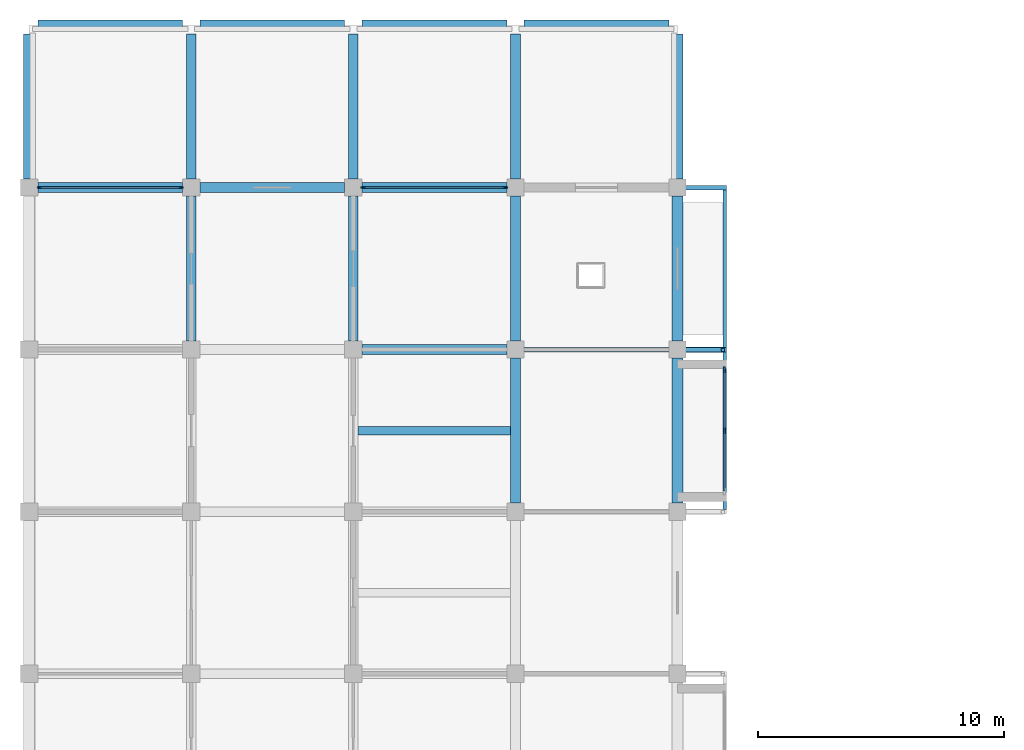
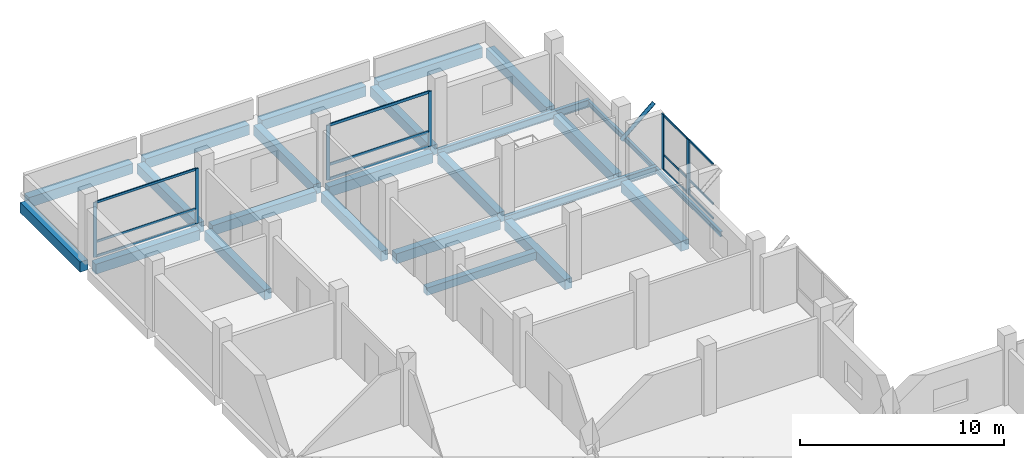
# One storey, part 4 of 10: 24 beams, 19 members, 3 elements without a shape of their own.
"""IFC4 building model written with IfcOpenShell, lengths in metres."""

from ifc_helpers import new_model, si_unit, direction, frame, origin, origin_2d, place, context, subcontext, project, spatial, rectangle, hollow_circle, i_section, extrude, material, material_profile, profile_set, type_object, element, aggregate, save


model = new_model("IFC4")

# Units and contexts
model_context = context("Model", 3, precision=1e-05, world=origin(), true_north=direction((0.0, 1.0)))
body_context = subcontext(model_context, "Body", "Model", "MODEL_VIEW")
ifc_project = project(units=[si_unit("LENGTHUNIT", "METRE"), si_unit("AREAUNIT", "SQUARE_METRE"), si_unit("VOLUMEUNIT", "CUBIC_METRE"), si_unit("PLANEANGLEUNIT", "RADIAN"), si_unit("MASSUNIT", "GRAM", prefix="KILO")], contexts=[model_context])

# Site, building, storey
site_placement = place(None, origin())
site = spatial("IfcSite", under=ifc_project, at=site_placement, CompositionType="ELEMENT")
building_placement = place(site_placement, origin())
building = spatial("IfcBuilding", under=site, at=building_placement, Name="Rusizi Kubbe Research Institute", CompositionType="ELEMENT")
storey_placement = place(building_placement, frame((0.0, 0.0, 43.800048828125)))
storey = spatial("IfcBuildingStorey", under=building, at=storey_placement, Name="L10", CompositionType="ELEMENT", Elevation=43.800048828125)

# Beams
ifc_material_1 = material(Name="Steel S355", Category="steel")
ifc_material_profile_1 = material_profile(ifc_material_1, i_section(OverallWidth=0.14990234375, OverallDepth=0.300048828125, WebThickness=0.007080078125, FlangeThickness=0.0107421875, at=origin_2d()), Name="IPE 300")
ifc_profile_set_1 = profile_set([ifc_material_profile_1], Name="Steel S355")
beam_type_1 = type_object("IfcBeamType", Name="BM-IPE300", PredefinedType="BEAM", material=ifc_profile_set_1)
beam_1_placement = place(storey_placement, frame((28.324951171875, 46.294921875, -0.4599609375), z_axis=(0.0, 1.0, 0.0), x_axis=(-1.0, 0.0, 0.0)))
element("IfcBeam", 1, at=beam_1_placement, inside=storey, type_object=beam_type_1, Name="Cumba Edge Tie Beam L10-2", PredefinedType="BEAM", context=body_context, shape_type="SweptSolid", body=[
    extrude(i_section(OverallWidth=0.14990234375, OverallDepth=0.300048828125, WebThickness=0.007080078125, FlangeThickness=0.0107421875, at=origin_2d()), origin(), (0.0, 0.0, 1.0), 6.41015625),
])
beam_2_placement = place(storey_placement, frame((28.324951171875, 52.89501953125, -0.4599609375), z_axis=(0.0, 1.0, 0.0), x_axis=(-1.0, 0.0, 0.0)))
element("IfcBeam", 2, at=beam_2_placement, inside=storey, type_object=beam_type_1, Name="Cumba Edge Tie Beam L10-3", PredefinedType="BEAM", context=body_context, shape_type="SweptSolid", body=[
    extrude(i_section(OverallWidth=0.14990234375, OverallDepth=0.300048828125, WebThickness=0.007080078125, FlangeThickness=0.0107421875, at=origin_2d()), origin(), (0.0, 0.0, 1.0), 6.409912109375),
])
ifc_material_2 = material(Name="Steel S355", Category="steel")
ifc_material_profile_2 = material_profile(ifc_material_2, i_section(OverallWidth=0.18994140625, OverallDepth=0.449951171875, WebThickness=0.009521484375, FlangeThickness=0.0146484375, at=origin_2d()), Name="IPE 450")
ifc_profile_set_2 = profile_set([ifc_material_profile_2], Name="Steel S355")
beam_type_2 = type_object("IfcBeamType", Name="BM-IPE450", PredefinedType="BEAM", material=ifc_profile_set_2)
for number, where, z_axis, x_axis, name in (
    (3, (19.800048828125, 52.800048828125, -0.53515625), (1.0, 0.0, 0.0), (0.0, 1.0, 0.0), "Cumba Back-Spanned Cantilever Beam L10-2N"),
    (4, (19.800048828125, 59.39990234375, -0.53515625), (1.0, 0.0, 0.0), (0.0, 1.0, 0.0), "Cumba Back-Spanned Cantilever Beam L10-3N"),
):
    element("IfcBeam", number, at=place(storey_placement, frame(where, z_axis=z_axis, x_axis=x_axis)), inside=storey, type_object=beam_type_2, Name=name, PredefinedType="BEAM", context=body_context, shape_type="SweptSolid", body=[
        extrude(i_section(OverallWidth=0.18994140625, OverallDepth=0.449951171875, WebThickness=0.009521484375, FlangeThickness=0.0146484375, at=origin_2d()), origin(), (0.0, 0.0, 1.0), 8.599853515625),
    ])
ifc_material_3 = material(Name="Concrete C40/50", Category="concrete")
ifc_material_profile_3 = material_profile(ifc_material_3, rectangle(XDim=0.35009765625, YDim=0.449951171875, at=origin_2d()), Name="RC350x450")
ifc_profile_set_3 = profile_set([ifc_material_profile_3], Name="Concrete C40/50")
beam_type_3 = type_object("IfcBeamType", Name="BM-RC350x450", PredefinedType="JOIST", material=ifc_profile_set_3)
beam_3_placement = place(storey_placement, frame((13.39990234375, 49.5, -0.53515625), z_axis=(1.0, 0.0, 0.0), x_axis=(0.0, 1.0, 0.0)))
element("IfcBeam", 5, at=beam_3_placement, inside=storey, type_object=beam_type_3, Name="Lab Stiffener Joist L10 (2,7)", PredefinedType="JOIST", context=body_context, shape_type="SweptSolid", body=[
    extrude(rectangle(XDim=0.35009765625, YDim=0.449951171875, at=origin_2d()), origin(), (0.0, 0.0, 1.0), 6.2001953125),
])
ifc_material_4 = material(Name="Concrete C40/50", Category="concrete")
ifc_material_profile_4 = material_profile(ifc_material_4, rectangle(XDim=0.39990234375, YDim=0.60009765625, at=origin_2d()), Name="RC400x600")
ifc_profile_set_4 = profile_set([ifc_material_profile_4], Name="Concrete C40/50")
beam_type_4 = type_object("IfcBeamType", Name="BM-RC400x600", PredefinedType="BEAM", material=ifc_profile_set_4)
beam_4_placement = place(storey_placement, frame((0.35009765625, 59.39990234375, -0.610107421875), z_axis=(1.0, 0.0, 0.0), x_axis=(0.0, 1.0, 0.0)))
element("IfcBeam", 6, at=beam_4_placement, inside=storey, type_object=beam_type_4, Name="Grid Beam H L10 (0,9)", PredefinedType="BEAM", context=body_context, shape_type="SweptSolid", body=[
    extrude(rectangle(XDim=0.39990234375, YDim=0.60009765625, at=origin_2d()), origin(), (0.0, 0.0, 1.0), 5.89990234375),
])
beam_5_placement = place(storey_placement, frame((6.949951171875, 59.39990234375, -0.610107421875), z_axis=(1.0, 0.0, 0.0), x_axis=(0.0, 1.0, 0.0)))
element("IfcBeam", 7, at=beam_5_placement, inside=storey, type_object=beam_type_4, Name="Grid Beam H L10 (1,9)", PredefinedType="BEAM", context=body_context, shape_type="SweptSolid", body=[
    extrude(rectangle(XDim=0.39990234375, YDim=0.60009765625, at=origin_2d()), origin(), (0.0, 0.0, 1.0), 5.900146484375),
])
for number, where, z_axis, x_axis, name in (
    (8, (13.550048828125, 52.800048828125, -0.610107421875), (1.0, 0.0, 0.0), (0.0, 1.0, 0.0), "Grid Beam H L10 (2,8)"),
    (9, (13.550048828125, 59.39990234375, -0.610107421875), (1.0, 0.0, 0.0), (0.0, 1.0, 0.0), "Grid Beam H L10 (2,9)"),
):
    element("IfcBeam", number, at=place(storey_placement, frame(where, z_axis=z_axis, x_axis=x_axis)), inside=storey, type_object=beam_type_4, Name=name, PredefinedType="BEAM", context=body_context, shape_type="SweptSolid", body=[
        extrude(rectangle(XDim=0.39990234375, YDim=0.60009765625, at=origin_2d()), origin(), (0.0, 0.0, 1.0), 5.89990234375),
    ])
beam_6_placement = place(storey_placement, frame((6.60009765625, 53.14990234375, -0.610107421875), z_axis=(0.0, 1.0, 0.0), x_axis=(-1.0, 0.0, 0.0)))
element("IfcBeam", 10, at=beam_6_placement, inside=storey, type_object=beam_type_4, Name="Grid Beam V L10 (1,8)", PredefinedType="BEAM", context=body_context, shape_type="SweptSolid", body=[
    extrude(rectangle(XDim=0.39990234375, YDim=0.60009765625, at=origin_2d()), origin(), (0.0, 0.0, 1.0), 5.900146484375),
])
beam_7_placement = place(storey_placement, frame((6.60009765625, 59.75, -0.610107421875), z_axis=(0.0, 1.0, 0.0), x_axis=(-1.0, 0.0, 0.0)))
element("IfcBeam", 11, at=beam_7_placement, inside=storey, type_object=beam_type_4, Name="Grid Beam V L10 (1,9)", PredefinedType="BEAM", context=body_context, shape_type="SweptSolid", body=[
    extrude(rectangle(XDim=0.39990234375, YDim=0.60009765625, at=origin_2d()), origin(), (0.0, 0.0, 1.0), 5.89990234375),
])
beam_8_placement = place(storey_placement, frame((13.199951171875, 53.14990234375, -0.610107421875), z_axis=(0.0, 1.0, 0.0), x_axis=(-1.0, 0.0, 0.0)))
element("IfcBeam", 12, at=beam_8_placement, inside=storey, type_object=beam_type_4, Name="Grid Beam V L10 (2,8)", PredefinedType="BEAM", context=body_context, shape_type="SweptSolid", body=[
    extrude(rectangle(XDim=0.39990234375, YDim=0.60009765625, at=origin_2d()), origin(), (0.0, 0.0, 1.0), 5.900146484375),
])
for number, where, z_axis, x_axis, name in (
    (13, (13.199951171875, 59.75, -0.610107421875), (0.0, 1.0, 0.0), (-1.0, 0.0, 0.0), "Grid Beam V L10 (2,9)"),
    (14, (19.800048828125, 46.550048828125, -0.610107421875), (0.0, 1.0, 0.0), (-1.0, 0.0, 0.0), "Grid Beam V L10 (3,7)"),
):
    element("IfcBeam", number, at=place(storey_placement, frame(where, z_axis=z_axis, x_axis=x_axis)), inside=storey, type_object=beam_type_4, Name=name, PredefinedType="BEAM", context=body_context, shape_type="SweptSolid", body=[
        extrude(rectangle(XDim=0.39990234375, YDim=0.60009765625, at=origin_2d()), origin(), (0.0, 0.0, 1.0), 5.89990234375),
    ])
beam_9_placement = place(storey_placement, frame((19.800048828125, 53.14990234375, -0.610107421875), z_axis=(0.0, 1.0, 0.0), x_axis=(-1.0, 0.0, 0.0)))
element("IfcBeam", 15, at=beam_9_placement, inside=storey, type_object=beam_type_4, Name="Grid Beam V L10 (3,8)", PredefinedType="BEAM", context=body_context, shape_type="SweptSolid", body=[
    extrude(rectangle(XDim=0.39990234375, YDim=0.60009765625, at=origin_2d()), origin(), (0.0, 0.0, 1.0), 5.900146484375),
])
beam_10_placement = place(storey_placement, frame((19.800048828125, 59.75, -0.610107421875), z_axis=(0.0, 1.0, 0.0), x_axis=(-1.0, 0.0, 0.0)))
element("IfcBeam", 16, at=beam_10_placement, inside=storey, type_object=beam_type_4, Name="Grid Beam V L10 (3,9)", PredefinedType="BEAM", context=body_context, shape_type="SweptSolid", body=[
    extrude(rectangle(XDim=0.39990234375, YDim=0.60009765625, at=origin_2d()), origin(), (0.0, 0.0, 1.0), 5.89990234375),
])
ifc_material_5 = material(Name="Concrete C40/50", Category="concrete")
ifc_material_profile_5 = material_profile(ifc_material_5, rectangle(XDim=0.449951171875, YDim=0.60009765625, at=origin_2d()), Name="RC450x600")
ifc_profile_set_5 = profile_set([ifc_material_profile_5], Name="Concrete C40/50")
beam_type_5 = type_object("IfcBeamType", Name="BM-RC450x600", PredefinedType="SPANDREL", material=ifc_profile_set_5)
beam_11_placement = place(storey_placement, frame((0.35009765625, 66.0, -0.610107421875), z_axis=(1.0, 0.0, 0.0), x_axis=(0.0, 1.0, 0.0)))
element("IfcBeam", 17, at=beam_11_placement, inside=storey, type_object=beam_type_5, Name="Grid Beam H L10 (0,10)", PredefinedType="SPANDREL", context=body_context, shape_type="SweptSolid", body=[
    extrude(rectangle(XDim=0.449951171875, YDim=0.60009765625, at=origin_2d()), origin(), (0.0, 0.0, 1.0), 5.89990234375),
])
beam_12_placement = place(storey_placement, frame((6.949951171875, 66.0, -0.610107421875), z_axis=(1.0, 0.0, 0.0), x_axis=(0.0, 1.0, 0.0)))
element("IfcBeam", 18, at=beam_12_placement, inside=storey, type_object=beam_type_5, Name="Grid Beam H L10 (1,10)", PredefinedType="SPANDREL", context=body_context, shape_type="SweptSolid", body=[
    extrude(rectangle(XDim=0.449951171875, YDim=0.60009765625, at=origin_2d()), origin(), (0.0, 0.0, 1.0), 5.900146484375),
])
beam_13_placement = place(storey_placement, frame((13.550048828125, 66.0, -0.610107421875), z_axis=(1.0, 0.0, 0.0), x_axis=(0.0, 1.0, 0.0)))
element("IfcBeam", 19, at=beam_13_placement, inside=storey, type_object=beam_type_5, Name="Grid Beam H L10 (2,10)", PredefinedType="SPANDREL", context=body_context, shape_type="SweptSolid", body=[
    extrude(rectangle(XDim=0.449951171875, YDim=0.60009765625, at=origin_2d()), origin(), (0.0, 0.0, 1.0), 5.89990234375),
])
beam_14_placement = place(storey_placement, frame((20.14990234375, 66.0, -0.610107421875), z_axis=(1.0, 0.0, 0.0), x_axis=(0.0, 1.0, 0.0)))
element("IfcBeam", 20, at=beam_14_placement, inside=storey, type_object=beam_type_5, Name="Grid Beam H L10 (3,10)", PredefinedType="SPANDREL", context=body_context, shape_type="SweptSolid", body=[
    extrude(rectangle(XDim=0.449951171875, YDim=0.60009765625, at=origin_2d()), origin(), (0.0, 0.0, 1.0), 5.900146484375),
])
for number, where, z_axis, x_axis, name in (
    (21, (0.0, 59.75, -0.610107421875), (0.0, 1.0, 0.0), (-1.0, 0.0, 0.0), "Grid Beam V L10 (0,9)"),
    (22, (26.39990234375, 46.550048828125, -0.610107421875), (0.0, 1.0, 0.0), (-1.0, 0.0, 0.0), "Grid Beam V L10 (4,7)"),
):
    element("IfcBeam", number, at=place(storey_placement, frame(where, z_axis=z_axis, x_axis=x_axis)), inside=storey, type_object=beam_type_5, Name=name, PredefinedType="SPANDREL", context=body_context, shape_type="SweptSolid", body=[
        extrude(rectangle(XDim=0.449951171875, YDim=0.60009765625, at=origin_2d()), origin(), (0.0, 0.0, 1.0), 5.89990234375),
    ])
beam_15_placement = place(storey_placement, frame((26.39990234375, 53.14990234375, -0.610107421875), z_axis=(0.0, 1.0, 0.0), x_axis=(-1.0, 0.0, 0.0)))
element("IfcBeam", 23, at=beam_15_placement, inside=storey, type_object=beam_type_5, Name="Grid Beam V L10 (4,8)", PredefinedType="SPANDREL", context=body_context, shape_type="SweptSolid", body=[
    extrude(rectangle(XDim=0.449951171875, YDim=0.60009765625, at=origin_2d()), origin(), (0.0, 0.0, 1.0), 5.900146484375),
])
beam_16_placement = place(storey_placement, frame((26.39990234375, 59.75, -0.610107421875), z_axis=(0.0, 1.0, 0.0), x_axis=(-1.0, 0.0, 0.0)))
element("IfcBeam", 24, at=beam_16_placement, inside=storey, type_object=beam_type_5, Name="Grid Beam V L10 (4,9)", PredefinedType="SPANDREL", context=body_context, shape_type="SweptSolid", body=[
    extrude(rectangle(XDim=0.449951171875, YDim=0.60009765625, at=origin_2d()), origin(), (0.0, 0.0, 1.0), 5.89990234375),
])

# Member
ifc_material_6 = material(Name="Steel S355", Category="steel")
ifc_material_profile_6 = material_profile(ifc_material_6, hollow_circle(Radius=0.109619140625, WallThickness=0.008056640625, at=origin_2d()), Name="CHS 219.1x8.0")
ifc_profile_set_6 = profile_set([ifc_material_profile_6], Name="Steel S355")
member_type_1 = type_object("IfcMemberType", Name="MB-CHS219", PredefinedType="BRACE", material=ifc_profile_set_6)
member_1_placement = place(storey_placement, frame((26.39990234375, 52.800048828125, 1.889892578125), z_axis=(0.756360503059, 0.0, 0.654155019405), x_axis=(0.0, 1.0, 0.0)))
element("IfcMember", 25, at=member_1_placement, inside=storey, type_object=member_type_1, Name="Cumba Diagonal Corbel Brace L11-2N", PredefinedType="BRACE", context=body_context, shape_type="SweptSolid", body=[
    extrude(hollow_circle(Radius=0.109619140625, WallThickness=0.008056640625, at=origin_2d()), origin(), (0.0, 0.0, 1.0), 2.446044921875),
])

# Curtain wall, members
ifc_material_7 = material(Name="Thermally Broken Aluminium and Low-E Glazing", Category="aluminium")
curtain_wall_type_1 = type_object("IfcCurtainWallType", Name="CW-12", PredefinedType="NOTDEFINED", material=ifc_material_7)
curtain_wall_1_placement = place(storey_placement, origin())
curtain_wall_1 = element("IfcCurtainWall", 26, at=curtain_wall_1_placement, inside=storey, type_object=curtain_wall_type_1, Name="Unitised Facade Curtain Wall CW-L10-H-00-09", PredefinedType="NOTDEFINED")
ifc_material_8 = material(Name="Aluminium Alloy 6063-T6", Category="aluminium")
ifc_material_profile_7 = material_profile(ifc_material_8, rectangle(XDim=0.06005859375, YDim=0.179931640625, at=origin_2d()), Name="ALU-M 60x180")
ifc_profile_set_7 = profile_set([ifc_material_profile_7], Name="Aluminium Alloy 6063-T6")
member_type_2 = type_object("IfcMemberType", Name="ML-02", PredefinedType="MULLION", material=ifc_profile_set_7)
member_2_placement = place(storey_placement, frame((0.409912109375, 59.39990234375, 0.0), z_axis=(0.0, 0.0, 1.0), x_axis=(0.0, 1.0, 0.0)))
member_2 = element("IfcMember", 27, at=member_2_placement, type_object=member_type_2, Name="CW-12 mullion 1", PredefinedType="MULLION", context=body_context, shape_type="SweptSolid", body=[
    extrude(rectangle(XDim=0.06005859375, YDim=0.179931640625, at=origin_2d()), origin(), (0.0, 0.0, 1.0), 3.2900390625),
])
member_3_placement = place(storey_placement, frame((6.18994140625, 59.39990234375, 0.0), z_axis=(0.0, 0.0, 1.0), x_axis=(0.0, 1.0, 0.0)))
member_3 = element("IfcMember", 28, at=member_3_placement, type_object=member_type_2, Name="CW-12 mullion 2", PredefinedType="MULLION", context=body_context, shape_type="SweptSolid", body=[
    extrude(rectangle(XDim=0.06005859375, YDim=0.179931640625, at=origin_2d()), origin(), (0.0, 0.0, 1.0), 3.2900390625),
])

ifc_material_9 = material(Name="Thermally Broken Aluminium and Low-E Glazing", Category="aluminium")
curtain_wall_type_2 = type_object("IfcCurtainWallType", Name="CW-13", PredefinedType="NOTDEFINED", material=ifc_material_9)
curtain_wall_2_placement = place(storey_placement, origin())
curtain_wall_2 = element("IfcCurtainWall", 29, at=curtain_wall_2_placement, inside=storey, type_object=curtain_wall_type_2, Name="Unitised Facade Curtain Wall CW-L10-H-02-09", PredefinedType="NOTDEFINED")
ifc_material_10 = material(Name="Aluminium Alloy 6063-T6", Category="aluminium")
ifc_material_profile_8 = material_profile(ifc_material_10, rectangle(XDim=0.06494140625, YDim=0.199951171875, at=origin_2d()), Name="ALU-M 65x200")
ifc_profile_set_8 = profile_set([ifc_material_profile_8], Name="Aluminium Alloy 6063-T6")
member_type_3 = type_object("IfcMemberType", Name="ML-03", PredefinedType="MULLION", material=ifc_profile_set_8)
member_4_placement = place(storey_placement, frame((13.612548828125, 59.39990234375, 0.0), z_axis=(0.0, 0.0, 1.0), x_axis=(0.0, 1.0, 0.0)))
member_4 = element("IfcMember", 30, at=member_4_placement, type_object=member_type_3, Name="CW-13 mullion 1", PredefinedType="MULLION", context=body_context, shape_type="SweptSolid", body=[
    extrude(rectangle(XDim=0.06494140625, YDim=0.199951171875, at=origin_2d()), origin(), (0.0, 0.0, 1.0), 3.2900390625),
])
member_5_placement = place(storey_placement, frame((19.387451171875, 59.39990234375, 0.0), z_axis=(0.0, 0.0, 1.0), x_axis=(0.0, 1.0, 0.0)))
member_5 = element("IfcMember", 31, at=member_5_placement, type_object=member_type_3, Name="CW-13 mullion 2", PredefinedType="MULLION", context=body_context, shape_type="SweptSolid", body=[
    extrude(rectangle(XDim=0.06494140625, YDim=0.199951171875, at=origin_2d()), origin(), (0.0, 0.0, 1.0), 3.2900390625),
])

ifc_material_11 = material(Name="Thermally Broken Aluminium and Low-E Glazing", Category="aluminium")
curtain_wall_type_3 = type_object("IfcCurtainWallType", Name="CW-04", PredefinedType="NOTDEFINED", material=ifc_material_11)
curtain_wall_3_placement = place(storey_placement, origin())
curtain_wall_3 = element("IfcCurtainWall", 32, at=curtain_wall_3_placement, inside=storey, type_object=curtain_wall_type_3, Name="Cumba Glazed Curtain Wall CW-CUMBA-L10-112", PredefinedType="NOTDEFINED")
ifc_material_12 = material(Name="Aluminium Alloy 6063-T6", Category="aluminium")
ifc_material_profile_9 = material_profile(ifc_material_12, rectangle(XDim=0.074951171875, YDim=0.25, at=origin_2d()), Name="ALU-M 75x250")
ifc_profile_set_9 = profile_set([ifc_material_profile_9], Name="Aluminium Alloy 6063-T6")
member_type_4 = type_object("IfcMemberType", Name="ML-05", PredefinedType="MULLION", material=ifc_profile_set_9)
member_6_placement = place(storey_placement, frame((28.300048828125, 49.5, 0.0), z_axis=(0.0, 0.0, 1.0), x_axis=(-1.0, 0.0, 0.0)))
member_6 = element("IfcMember", 33, at=member_6_placement, type_object=member_type_4, Name="CW-04 mullion 2", PredefinedType="MULLION", context=body_context, shape_type="SweptSolid", body=[
    extrude(rectangle(XDim=0.074951171875, YDim=0.25, at=origin_2d()), origin(), (0.0, 0.0, 1.0), 3.2900390625),
])
member_7_placement = place(storey_placement, frame((28.300048828125, 51.97998046875, 0.0), z_axis=(0.0, 0.0, 1.0), x_axis=(-1.0, 0.0, 0.0)))
member_7 = element("IfcMember", 34, at=member_7_placement, type_object=member_type_4, Name="CW-04 mullion 3", PredefinedType="MULLION", context=body_context, shape_type="SweptSolid", body=[
    extrude(rectangle(XDim=0.074951171875, YDim=0.25, at=origin_2d()), origin(), (0.0, 0.0, 1.0), 3.2900390625),
])
ifc_material_13 = material(Name="Aluminium Alloy 6063-T6", Category="aluminium")
ifc_material_profile_10 = material_profile(ifc_material_13, rectangle(XDim=0.06005859375, YDim=0.1201171875, at=origin_2d()), Name="ALU-T 60x120")
ifc_profile_set_10 = profile_set([ifc_material_profile_10], Name="Aluminium Alloy 6063-T6")
member_type_5 = type_object("IfcMemberType", Name="TR-01", PredefinedType="USERDEFINED", material=ifc_profile_set_10)
member_8_placement = place(storey_placement, frame((28.300048828125, 47.0576171875, 0.030029296875), z_axis=(0.0, 1.0, 0.0), x_axis=(-1.0, 0.0, 0.0)))
member_8 = element("IfcMember", 35, at=member_8_placement, type_object=member_type_5, Name="CW-04 transom 1.1", ObjectType="TRANSOM", PredefinedType="USERDEFINED", context=body_context, shape_type="SweptSolid", body=[
    extrude(rectangle(XDim=0.06005859375, YDim=0.1201171875, at=origin_2d()), origin(), (0.0, 0.0, 1.0), 2.40478515625),
])
member_9_placement = place(storey_placement, frame((28.300048828125, 47.0576171875, 0.89990234375), z_axis=(0.0, 1.0, 0.0), x_axis=(-1.0, 0.0, 0.0)))
member_9 = element("IfcMember", 36, at=member_9_placement, type_object=member_type_5, Name="CW-04 transom 1.2", ObjectType="TRANSOM", PredefinedType="USERDEFINED", context=body_context, shape_type="SweptSolid", body=[
    extrude(rectangle(XDim=0.06005859375, YDim=0.1201171875, at=origin_2d()), origin(), (0.0, 0.0, 1.0), 2.40478515625),
])
member_10_placement = place(storey_placement, frame((28.300048828125, 47.0576171875, 3.260009765625), z_axis=(0.0, 1.0, 0.0), x_axis=(-1.0, 0.0, 0.0)))
member_10 = element("IfcMember", 37, at=member_10_placement, type_object=member_type_5, Name="CW-04 transom 1.3", ObjectType="TRANSOM", PredefinedType="USERDEFINED", context=body_context, shape_type="SweptSolid", body=[
    extrude(rectangle(XDim=0.06005859375, YDim=0.1201171875, at=origin_2d()), origin(), (0.0, 0.0, 1.0), 2.40478515625),
])
member_11_placement = place(storey_placement, frame((28.300048828125, 49.53759765625, 0.030029296875), z_axis=(0.0, 1.0, 0.0), x_axis=(-1.0, 0.0, 0.0)))
member_11 = element("IfcMember", 38, at=member_11_placement, type_object=member_type_5, Name="CW-04 transom 2.1", ObjectType="TRANSOM", PredefinedType="USERDEFINED", context=body_context, shape_type="SweptSolid", body=[
    extrude(rectangle(XDim=0.06005859375, YDim=0.1201171875, at=origin_2d()), origin(), (0.0, 0.0, 1.0), 2.40478515625),
])
member_12_placement = place(storey_placement, frame((28.300048828125, 49.53759765625, 0.89990234375), z_axis=(0.0, 1.0, 0.0), x_axis=(-1.0, 0.0, 0.0)))
member_12 = element("IfcMember", 39, at=member_12_placement, type_object=member_type_5, Name="CW-04 transom 2.2", ObjectType="TRANSOM", PredefinedType="USERDEFINED", context=body_context, shape_type="SweptSolid", body=[
    extrude(rectangle(XDim=0.06005859375, YDim=0.1201171875, at=origin_2d()), origin(), (0.0, 0.0, 1.0), 2.40478515625),
])
member_13_placement = place(storey_placement, frame((28.300048828125, 49.53759765625, 3.260009765625), z_axis=(0.0, 1.0, 0.0), x_axis=(-1.0, 0.0, 0.0)))
member_13 = element("IfcMember", 40, at=member_13_placement, type_object=member_type_5, Name="CW-04 transom 2.3", ObjectType="TRANSOM", PredefinedType="USERDEFINED", context=body_context, shape_type="SweptSolid", body=[
    extrude(rectangle(XDim=0.06005859375, YDim=0.1201171875, at=origin_2d()), origin(), (0.0, 0.0, 1.0), 2.40478515625),
])
aggregate(curtain_wall_3, [member_6, member_7, member_8, member_9, member_10, member_11, member_12, member_13])

# Member
ifc_material_14 = material(Name="Aluminium Alloy 6063-T6", Category="aluminium")
ifc_material_profile_11 = material_profile(ifc_material_14, rectangle(XDim=0.06005859375, YDim=0.139892578125, at=origin_2d()), Name="ALU-T 60x140")
ifc_profile_set_11 = profile_set([ifc_material_profile_11], Name="Aluminium Alloy 6063-T6")
member_type_6 = type_object("IfcMemberType", Name="TR-02", PredefinedType="USERDEFINED", material=ifc_profile_set_11)
member_14_placement = place(storey_placement, frame((0.43994140625, 59.39990234375, 0.030029296875), z_axis=(1.0, 0.0, 0.0), x_axis=(0.0, 1.0, 0.0)))
member_14 = element("IfcMember", 41, at=member_14_placement, type_object=member_type_6, Name="CW-12 transom 1.1", ObjectType="TRANSOM", PredefinedType="USERDEFINED", context=body_context, shape_type="SweptSolid", body=[
    extrude(rectangle(XDim=0.06005859375, YDim=0.139892578125, at=origin_2d()), origin(), (0.0, 0.0, 1.0), 5.719970703125),
])

member_15_placement = place(storey_placement, frame((0.43994140625, 59.39990234375, 0.89990234375), z_axis=(1.0, 0.0, 0.0), x_axis=(0.0, 1.0, 0.0)))
member_15 = element("IfcMember", 42, at=member_15_placement, type_object=member_type_6, Name="CW-12 transom 1.2", ObjectType="TRANSOM", PredefinedType="USERDEFINED", context=body_context, shape_type="SweptSolid", body=[
    extrude(rectangle(XDim=0.06005859375, YDim=0.139892578125, at=origin_2d()), origin(), (0.0, 0.0, 1.0), 5.719970703125),
])

member_16_placement = place(storey_placement, frame((0.43994140625, 59.39990234375, 3.260009765625), z_axis=(1.0, 0.0, 0.0), x_axis=(0.0, 1.0, 0.0)))
member_16 = element("IfcMember", 43, at=member_16_placement, type_object=member_type_6, Name="CW-12 transom 1.3", ObjectType="TRANSOM", PredefinedType="USERDEFINED", context=body_context, shape_type="SweptSolid", body=[
    extrude(rectangle(XDim=0.06005859375, YDim=0.139892578125, at=origin_2d()), origin(), (0.0, 0.0, 1.0), 5.719970703125),
])

aggregate(curtain_wall_1, [member_2, member_3, member_14, member_15, member_16])

ifc_material_15 = material(Name="Aluminium Alloy 6063-T6", Category="aluminium")
ifc_material_profile_12 = material_profile(ifc_material_15, rectangle(XDim=0.06494140625, YDim=0.159912109375, at=origin_2d()), Name="ALU-T 65x160")
ifc_profile_set_12 = profile_set([ifc_material_profile_12], Name="Aluminium Alloy 6063-T6")
member_type_7 = type_object("IfcMemberType", Name="TR-03", PredefinedType="USERDEFINED", material=ifc_profile_set_12)
member_17_placement = place(storey_placement, frame((13.64501953125, 59.39990234375, 0.032470703125), z_axis=(1.0, 0.0, 0.0), x_axis=(0.0, 1.0, 0.0)))
member_17 = element("IfcMember", 44, at=member_17_placement, type_object=member_type_7, Name="CW-13 transom 1.1", ObjectType="TRANSOM", PredefinedType="USERDEFINED", context=body_context, shape_type="SweptSolid", body=[
    extrude(rectangle(XDim=0.06494140625, YDim=0.159912109375, at=origin_2d()), origin(), (0.0, 0.0, 1.0), 5.7099609375),
])

member_18_placement = place(storey_placement, frame((13.64501953125, 59.39990234375, 0.89990234375), z_axis=(1.0, 0.0, 0.0), x_axis=(0.0, 1.0, 0.0)))
member_18 = element("IfcMember", 45, at=member_18_placement, type_object=member_type_7, Name="CW-13 transom 1.2", ObjectType="TRANSOM", PredefinedType="USERDEFINED", context=body_context, shape_type="SweptSolid", body=[
    extrude(rectangle(XDim=0.06494140625, YDim=0.159912109375, at=origin_2d()), origin(), (0.0, 0.0, 1.0), 5.7099609375),
])

member_19_placement = place(storey_placement, frame((13.64501953125, 59.39990234375, 3.257568359375), z_axis=(1.0, 0.0, 0.0), x_axis=(0.0, 1.0, 0.0)))
member_19 = element("IfcMember", 46, at=member_19_placement, type_object=member_type_7, Name="CW-13 transom 1.3", ObjectType="TRANSOM", PredefinedType="USERDEFINED", context=body_context, shape_type="SweptSolid", body=[
    extrude(rectangle(XDim=0.06494140625, YDim=0.159912109375, at=origin_2d()), origin(), (0.0, 0.0, 1.0), 5.7099609375),
])

aggregate(curtain_wall_2, [member_4, member_5, member_17, member_18, member_19])

save(model, "model.ifc")
